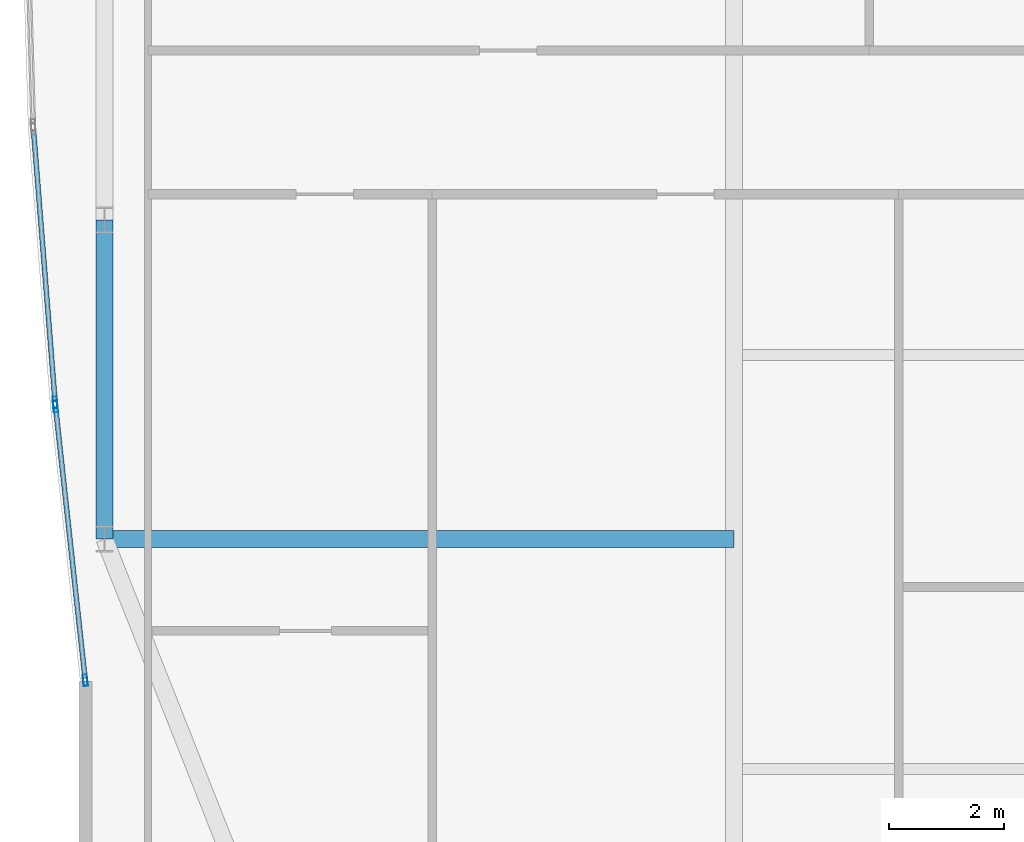
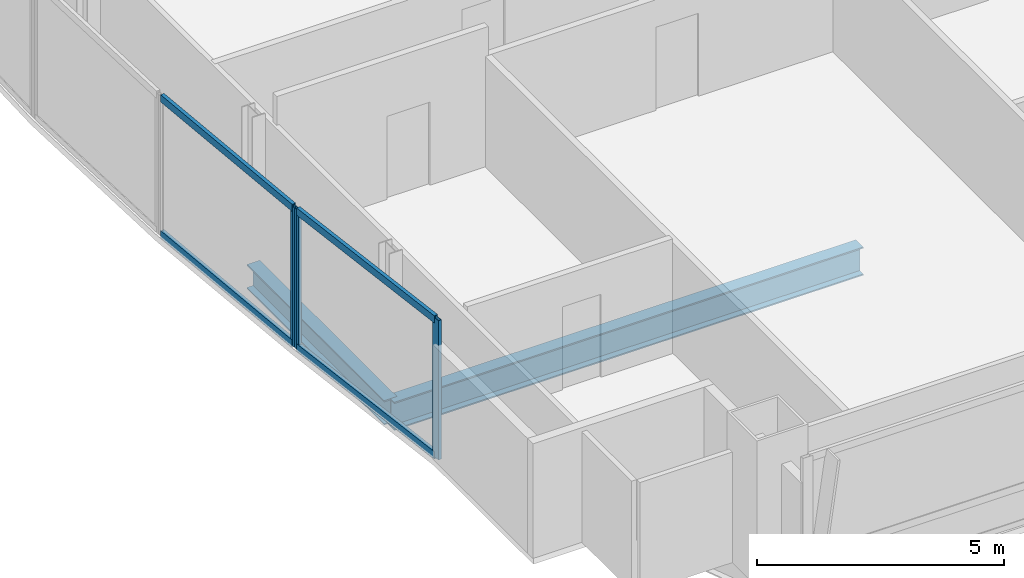
# One storey, part 6 of 32: 7 members, 2 beams, 2 elements without a shape of their own.
"""IFC4 building model written with IfcOpenShell, lengths in metres."""

from ifc_helpers import new_model, si_unit, direction, frame, origin, origin_2d, place, context, subcontext, project, spatial, hollow_rectangle, i_section, extrude, material, material_profile, profile_set, type_object, element, aggregate, save


model = new_model("IFC4")

# Units and contexts
model_context = context("Model", 3, precision=1e-05, world=origin(), true_north=direction((0.0, 1.0)))
body_context = subcontext(model_context, "Body", "Model", "MODEL_VIEW")
ifc_project = project(units=[si_unit("LENGTHUNIT", "METRE"), si_unit("AREAUNIT", "SQUARE_METRE"), si_unit("VOLUMEUNIT", "CUBIC_METRE"), si_unit("PLANEANGLEUNIT", "RADIAN"), si_unit("MASSUNIT", "GRAM", prefix="KILO")], contexts=[model_context])

# Site, building, storey
site_placement = place(None, origin())
site = spatial("IfcSite", under=ifc_project, at=site_placement, CompositionType="ELEMENT")
building_placement = place(site_placement, origin())
building = spatial("IfcBuilding", under=site, at=building_placement, Name="Khoronbel Lancet Exchange", CompositionType="ELEMENT")
storey_placement = place(building_placement, frame((0.0, 0.0, 195.800048828125)))
storey = spatial("IfcBuildingStorey", under=building, at=storey_placement, Name="L49", CompositionType="ELEMENT", Elevation=195.800048828125)

# Beams
ifc_material_1 = material(Name="Steel S355", Category="steel")
ifc_material_profile_1 = material_profile(ifc_material_1, i_section(OverallWidth=0.300048828125, OverallDepth=0.699951171875, WebThickness=0.01708984375, FlangeThickness=0.031982421875, at=origin_2d()), Name="HEB 700")
ifc_profile_set_1 = profile_set([ifc_material_profile_1], Name="Steel S355")
beam_type_1 = type_object("IfcBeamType", Name="BM-BG3", PredefinedType="BEAM", material=ifc_profile_set_1)
beam_1_placement = place(storey_placement, frame((7.27001953125, 19.199951171875, -0.510009765625), z_axis=(1.0, 0.0, 0.0), x_axis=(0.0, 1.0, 0.0)))
element("IfcBeam", 1, at=beam_1_placement, inside=storey, type_object=beam_type_1, Name="Level L49 west lens tie girder LG1W", PredefinedType="BEAM", context=body_context, shape_type="SweptSolid", body=[
    extrude(i_section(OverallWidth=0.300048828125, OverallDepth=0.699951171875, WebThickness=0.01708984375, FlangeThickness=0.031982421875, at=origin_2d()), origin(), (0.0, 0.0, 1.0), 10.955078125),
])
ifc_material_profile_2 = material_profile(ifc_material_1, i_section(OverallWidth=0.300048828125, OverallDepth=0.60009765625, WebThickness=0.015380859375, FlangeThickness=0.030029296875, at=origin_2d()), Name="HEB 600")
ifc_profile_set_2 = profile_set([ifc_material_profile_2], Name="Steel S355")
beam_type_2 = type_object("IfcBeamType", Name="BM-BSP2", PredefinedType="SPANDREL", material=ifc_profile_set_2)
beam_2_placement = place(storey_placement, frame((7.27001953125, 24.75, -0.4599609375), z_axis=(0.0, -1.0, 0.0), x_axis=(1.0, 0.0, 0.0)))
element("IfcBeam", 2, at=beam_2_placement, inside=storey, type_object=beam_type_2, Name="Level L49 perimeter spandrel beam SP20", PredefinedType="SPANDREL", context=body_context, shape_type="SweptSolid", body=[
    extrude(i_section(OverallWidth=0.300048828125, OverallDepth=0.60009765625, WebThickness=0.015380859375, FlangeThickness=0.030029296875, at=origin_2d()), origin(), (0.0, 0.0, 1.0), 5.550048828125),
])

# Curtain wall, members
ifc_material_2 = material(Name="Low-E Solar Control Insulating Glass", Category="glass")
curtain_wall_type = type_object("IfcCurtainWallType", Name="CW-4", PredefinedType="NOTDEFINED", material=ifc_material_2)
curtain_wall_1_placement = place(storey_placement, origin())
curtain_wall_1 = element("IfcCurtainWall", 3, at=curtain_wall_1_placement, inside=storey, type_object=curtain_wall_type, Name="Unitised curtain wall CW-L49-E04", PredefinedType="NOTDEFINED")
ifc_material_3 = material(Name="Bronze-Anodised Aluminium 6063-T6", Category="aluminium")
ifc_material_profile_3 = material_profile(ifc_material_3, hollow_rectangle(XDim=0.074951171875, YDim=0.199951171875, WallThickness=0.0048828125, at=origin_2d()), Name="ALU MULLION 75x200")
ifc_profile_set_3 = profile_set([ifc_material_profile_3], Name="Bronze-Anodised Aluminium 6063-T6")
member_type_1 = type_object("IfcMemberType", Name="MEM-CWM2", PredefinedType="MULLION", material=ifc_profile_set_3)
member_1_placement = place(storey_placement, frame((6.93603515625, 16.7421875, 0.0), z_axis=(0.0, 0.0, 1.0), x_axis=(-0.994151948799, -0.107990289834, 0.0)))
member_1 = element("IfcMember", 4, at=member_1_placement, type_object=member_type_1, Name="CW4 mullion 1", PredefinedType="MULLION", context=body_context, shape_type="SweptSolid", body=[
    extrude(hollow_rectangle(XDim=0.074951171875, YDim=0.199951171875, WallThickness=0.0048828125, at=origin_2d()), origin(), (0.0, 0.0, 1.0), 3.43994140625),
])
member_2_placement = place(storey_placement, frame((6.418701171875, 21.50439453125, 0.0), z_axis=(0.0, 0.0, 1.0), x_axis=(-0.994151948799, -0.107990289834, 0.0)))
member_2 = element("IfcMember", 5, at=member_2_placement, type_object=member_type_1, Name="CW4 mullion 2", PredefinedType="MULLION", context=body_context, shape_type="SweptSolid", body=[
    extrude(hollow_rectangle(XDim=0.074951171875, YDim=0.199951171875, WallThickness=0.0048828125, at=origin_2d()), origin(), (0.0, 0.0, 1.0), 3.43994140625),
])

# Curtain wall, member
curtain_wall_2_placement = place(storey_placement, origin())
curtain_wall_2 = element("IfcCurtainWall", 6, at=curtain_wall_2_placement, inside=storey, type_object=curtain_wall_type, Name="Unitised curtain wall CW-L49-E05", PredefinedType="NOTDEFINED")
member_3_placement = place(storey_placement, frame((6.41162109375, 21.5791015625, 0.0), z_axis=(0.0, 0.0, 1.0), x_axis=(-0.996854401909, -0.079254661653, 0.0)))
member_3 = element("IfcMember", 7, at=member_3_placement, type_object=member_type_1, Name="CW4 mullion 1", PredefinedType="MULLION", context=body_context, shape_type="SweptSolid", body=[
    extrude(hollow_rectangle(XDim=0.074951171875, YDim=0.199951171875, WallThickness=0.0048828125, at=origin_2d()), origin(), (0.0, 0.0, 1.0), 3.43994140625),
])

# Member
ifc_material_profile_4 = material_profile(ifc_material_3, hollow_rectangle(XDim=0.0849609375, YDim=0.179931640625, WallThickness=0.0048828125, at=origin_2d()), Name="ALU TRANSOM 85x180")
ifc_profile_set_4 = profile_set([ifc_material_profile_4], Name="Bronze-Anodised Aluminium 6063-T6")
member_type_2 = type_object("IfcMemberType", Name="MEM-CWT1", PredefinedType="USERDEFINED", material=ifc_profile_set_4)
member_4_placement = place(storey_placement, frame((6.931884765625, 16.779541015625, 0.04248046875), z_axis=(-0.108010231569, 0.994149782415, 0.0), x_axis=(-0.994149782415, -0.108010231569, 0.0)))
member_4 = element("IfcMember", 8, at=member_4_placement, type_object=member_type_2, Name="CW4 transom 1.1", ObjectType="TRANSOM", PredefinedType="USERDEFINED", context=body_context, shape_type="SweptSolid", body=[
    extrude(hollow_rectangle(XDim=0.0849609375, YDim=0.179931640625, WallThickness=0.0048828125, at=origin_2d()), origin(), (0.0, 0.0, 1.0), 4.715087890625),
])

member_5_placement = place(storey_placement, frame((6.931884765625, 16.779541015625, 3.3974609375), z_axis=(-0.108010231569, 0.994149782415, 0.0), x_axis=(-0.994149782415, -0.108010231569, 0.0)))
member_5 = element("IfcMember", 9, at=member_5_placement, type_object=member_type_2, Name="CW4 transom 1.2", ObjectType="TRANSOM", PredefinedType="USERDEFINED", context=body_context, shape_type="SweptSolid", body=[
    extrude(hollow_rectangle(XDim=0.0849609375, YDim=0.179931640625, WallThickness=0.0048828125, at=origin_2d()), origin(), (0.0, 0.0, 1.0), 4.715087890625),
])

aggregate(curtain_wall_1, [member_1, member_2, member_4, member_5])

member_6_placement = place(storey_placement, frame((6.40869140625, 21.616455078125, 0.04248046875), z_axis=(-0.079245071744, 0.996855164306, 0.0), x_axis=(-0.996855164306, -0.079245071744, 0.0)))
member_6 = element("IfcMember", 10, at=member_6_placement, type_object=member_type_2, Name="CW4 transom 1.1", ObjectType="TRANSOM", PredefinedType="USERDEFINED", context=body_context, shape_type="SweptSolid", body=[
    extrude(hollow_rectangle(XDim=0.0849609375, YDim=0.179931640625, WallThickness=0.0048828125, at=origin_2d()), origin(), (0.0, 0.0, 1.0), 4.695068359375),
])

member_7_placement = place(storey_placement, frame((6.40869140625, 21.616455078125, 3.3974609375), z_axis=(-0.079245071744, 0.996855164306, 0.0), x_axis=(-0.996855164306, -0.079245071744, 0.0)))
member_7 = element("IfcMember", 11, at=member_7_placement, type_object=member_type_2, Name="CW4 transom 1.2", ObjectType="TRANSOM", PredefinedType="USERDEFINED", context=body_context, shape_type="SweptSolid", body=[
    extrude(hollow_rectangle(XDim=0.0849609375, YDim=0.179931640625, WallThickness=0.0048828125, at=origin_2d()), origin(), (0.0, 0.0, 1.0), 4.695068359375),
])

aggregate(curtain_wall_2, [member_3, member_6, member_7])

save(model, "model.ifc")
